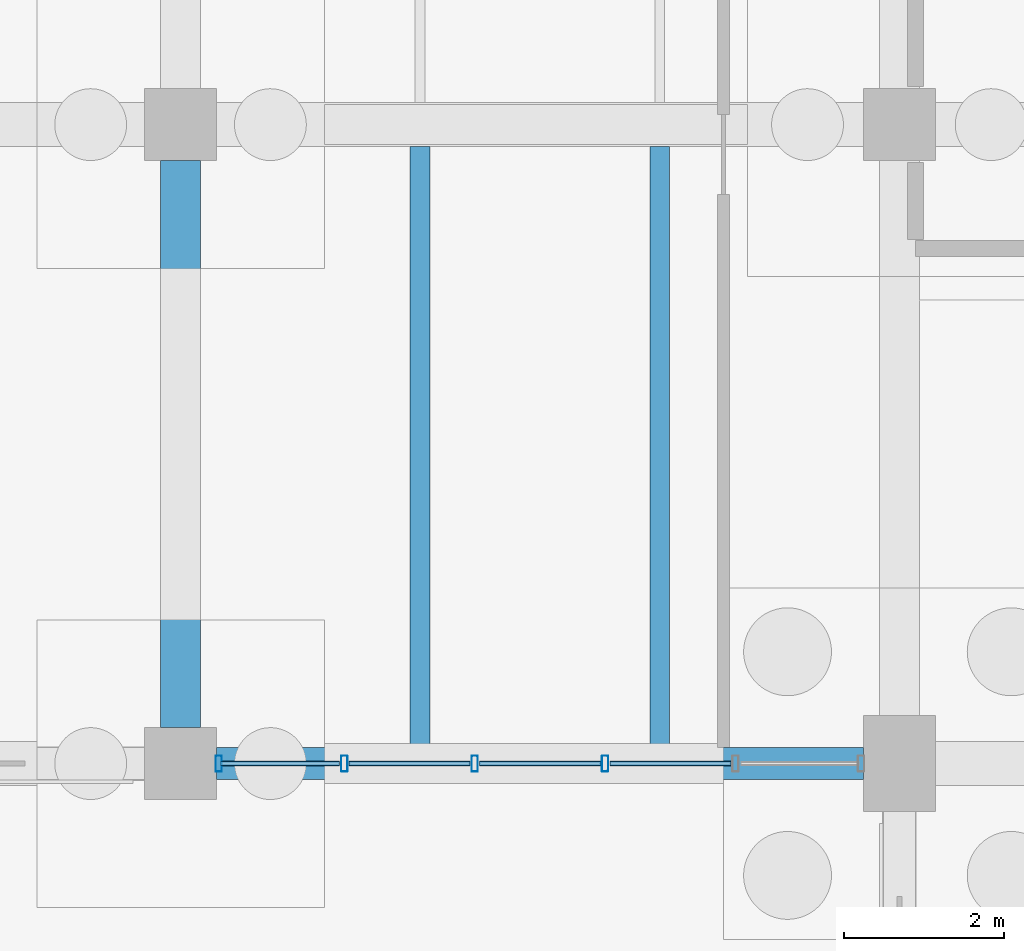
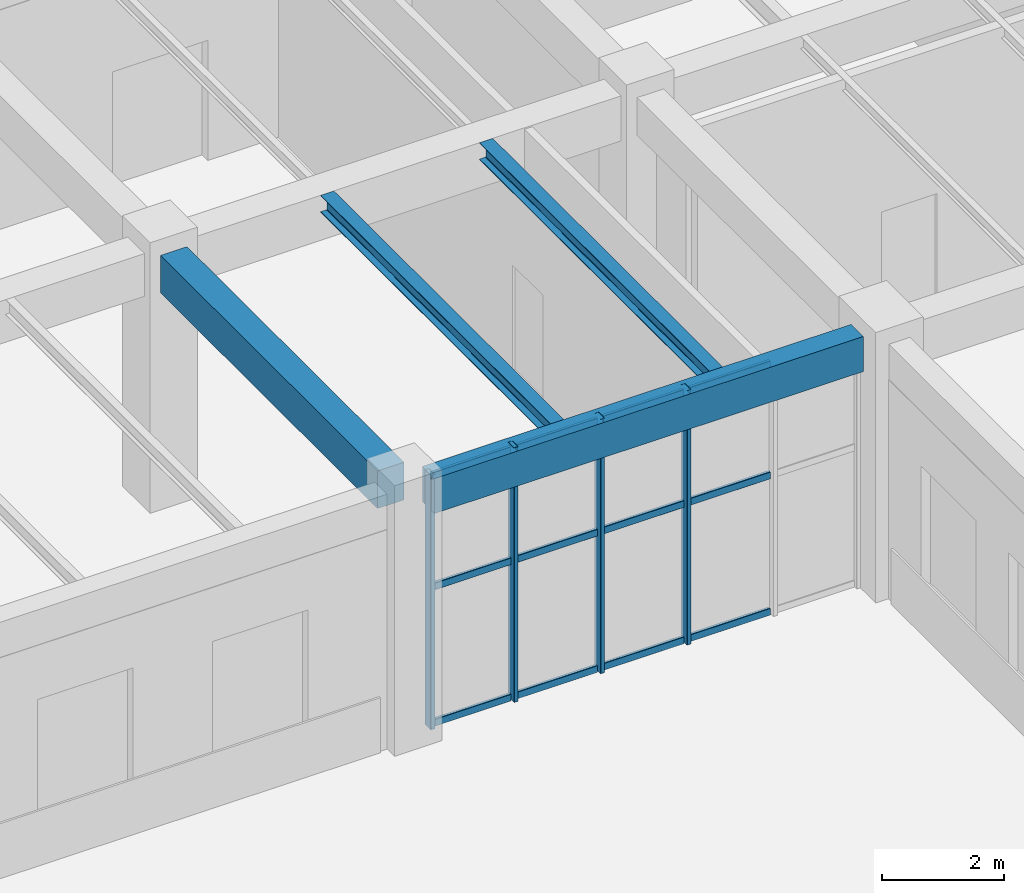
# One storey, part 71 of 121: 16 members, 4 beams, 1 element without a shape of its own.
"""IFC4 building model written with IfcOpenShell, lengths in metres."""

from ifc_helpers import new_model, si_unit, derived_unit, direction, frame, origin, origin_2d, place, context, subcontext, project, spatial, rectangle, hollow_rectangle, i_section, extrude, material, material_profile, profile_set, type_object, element, aggregate, save


model = new_model("IFC4")

# Units and contexts
model_context = context("Model", 3, precision=1e-05, world=origin(), true_north=direction((0.0, 1.0)))
body_context = subcontext(model_context, "Body", "Model", "MODEL_VIEW")
ifc_project = project(units=[si_unit("LENGTHUNIT", "METRE"), si_unit("AREAUNIT", "SQUARE_METRE"), si_unit("VOLUMEUNIT", "CUBIC_METRE"), si_unit("PLANEANGLEUNIT", "RADIAN"), si_unit("MASSUNIT", "GRAM", prefix="KILO"), derived_unit("THERMALTRANSMITTANCEUNIT", [(si_unit("MASSUNIT", "GRAM", prefix="KILO"), 1), (si_unit("TIMEUNIT", "SECOND"), -3), (si_unit("THERMODYNAMICTEMPERATUREUNIT", "KELVIN"), -1)])], contexts=[model_context])

# Site, building, storey
site_placement = place(None, origin())
site = spatial("IfcSite", under=ifc_project, at=site_placement, CompositionType="ELEMENT")
building_placement = place(site_placement, origin())
building = spatial("IfcBuilding", under=site, at=building_placement, Name="Zhenchuan Archway Interchange", CompositionType="ELEMENT")
storey_placement = place(building_placement, origin())
storey = spatial("IfcBuildingStorey", under=building, at=storey_placement, Name="L00", CompositionType="ELEMENT", Elevation=0.0)

# Beam
ifc_material_1 = material(Name="Concrete C40", Category="concrete")
ifc_material_profile_1 = material_profile(ifc_material_1, rectangle(XDim=0.5, YDim=0.75, at=origin_2d()), Name="RC 500x750")
ifc_profile_set_1 = profile_set([ifc_material_profile_1], Name="Concrete C40")
beam_type_1 = type_object("IfcBeamType", Name="BM_RC_500x750", PredefinedType="BEAM", material=ifc_profile_set_1)
beam_1_placement = place(storey_placement, frame((135.0, 88.449951171875, 4.705078125), z_axis=(0.0, 1.0, 0.0), x_axis=(-1.0, 0.0, 0.0)))
element("IfcBeam", 1, at=beam_1_placement, inside=storey, type_object=beam_type_1, Name="Beam 16:M-N (L00)", PredefinedType="BEAM", context=body_context, shape_type="SweptSolid", body=[
    extrude(rectangle(XDim=0.5, YDim=0.75, at=origin_2d()), origin(), (0.0, 0.0, 1.0), 7.10009765625),
])

# Curtain wall, members
ifc_material_2 = material(Name="Anodised Aluminium", Category="aluminium")
curtain_wall_type = type_object("IfcCurtainWallType", Name="CW_UNIT_4", PredefinedType="NOTDEFINED", material=ifc_material_2)
curtain_wall_placement = place(storey_placement, origin())
curtain_wall = element("IfcCurtainWall", 2, at=curtain_wall_placement, inside=storey, type_object=curtain_wall_type, Name="Unitised curtain wall CW:L00:023", PredefinedType="NOTDEFINED")
ifc_material_profile_2 = material_profile(ifc_material_2, hollow_rectangle(XDim=0.080078125, YDim=0.199951171875, WallThickness=0.00439453125, InnerFilletRadius=0.00439453125, OuterFilletRadius=0.009033203125, at=origin_2d()), Name="ALU 200x80x4.5")
ifc_profile_set_2 = profile_set([ifc_material_profile_2], Name="Anodised Aluminium")
member_type_1 = type_object("IfcMemberType", Name="CW_MUL_200", PredefinedType="MULLION", material=ifc_profile_set_2)
member_1_placement = place(storey_placement, frame((140.31640625, 88.0, 0.0), z_axis=(0.0, 0.0, 1.0), x_axis=(1.0, 0.0, 0.0)))
member_1 = element("IfcMember", 3, at=member_1_placement, type_object=member_type_1, Name="CW:L00:023 mullion 2", PredefinedType="MULLION", context=body_context, shape_type="SweptSolid", body=[
    extrude(hollow_rectangle(XDim=0.080078125, YDim=0.199951171875, WallThickness=0.00439453125, InnerFilletRadius=0.00439453125, OuterFilletRadius=0.009033203125, at=origin_2d()), origin(), (0.0, 0.0, 1.0), 5.080078125),
])
member_2_placement = place(storey_placement, frame((138.68359375, 88.0, 0.0), z_axis=(0.0, 0.0, 1.0), x_axis=(1.0, 0.0, 0.0)))
member_2 = element("IfcMember", 4, at=member_2_placement, type_object=member_type_1, Name="CW:L00:023 mullion 3", PredefinedType="MULLION", context=body_context, shape_type="SweptSolid", body=[
    extrude(hollow_rectangle(XDim=0.080078125, YDim=0.199951171875, WallThickness=0.00439453125, InnerFilletRadius=0.00439453125, OuterFilletRadius=0.009033203125, at=origin_2d()), origin(), (0.0, 0.0, 1.0), 5.080078125),
])
member_3_placement = place(storey_placement, frame((137.05078125, 88.0, 0.0), z_axis=(0.0, 0.0, 1.0), x_axis=(1.0, 0.0, 0.0)))
member_3 = element("IfcMember", 5, at=member_3_placement, type_object=member_type_1, Name="CW:L00:023 mullion 4", PredefinedType="MULLION", context=body_context, shape_type="SweptSolid", body=[
    extrude(hollow_rectangle(XDim=0.080078125, YDim=0.199951171875, WallThickness=0.00439453125, InnerFilletRadius=0.00439453125, OuterFilletRadius=0.009033203125, at=origin_2d()), origin(), (0.0, 0.0, 1.0), 5.080078125),
])
member_4_placement = place(storey_placement, frame((135.47802734375, 88.0, 0.0), z_axis=(0.0, 0.0, 1.0), x_axis=(1.0, 0.0, 0.0)))
member_4 = element("IfcMember", 6, at=member_4_placement, type_object=member_type_1, Name="CW:L00:023 mullion 5", PredefinedType="MULLION", context=body_context, shape_type="SweptSolid", body=[
    extrude(hollow_rectangle(XDim=0.080078125, YDim=0.199951171875, WallThickness=0.00439453125, InnerFilletRadius=0.00439453125, OuterFilletRadius=0.009033203125, at=origin_2d()), origin(), (0.0, 0.0, 1.0), 5.080078125),
])
ifc_material_profile_3 = material_profile(ifc_material_2, hollow_rectangle(XDim=0.06005859375, YDim=0.139892578125, WallThickness=0.00341796875, InnerFilletRadius=0.00341796875, OuterFilletRadius=0.007080078125, at=origin_2d()), Name="ALU 140x60x3.5")
ifc_profile_set_3 = profile_set([ifc_material_profile_3], Name="Anodised Aluminium")
member_type_2 = type_object("IfcMemberType", Name="CW_TRN_140", PredefinedType="USERDEFINED", material=ifc_profile_set_3)
member_5_placement = place(storey_placement, frame((141.88916015625, 88.0, 0.06005859375), z_axis=(-1.0, 0.0, 0.0), x_axis=(0.0, -1.0, 0.0)))
member_5 = element("IfcMember", 7, at=member_5_placement, type_object=member_type_2, Name="CW:L00:023 transom 1-1", ObjectType="TRANSOM", PredefinedType="USERDEFINED", context=body_context, shape_type="SweptSolid", body=[
    extrude(hollow_rectangle(XDim=0.06005859375, YDim=0.139892578125, WallThickness=0.00341796875, InnerFilletRadius=0.00341796875, OuterFilletRadius=0.007080078125, at=origin_2d()), origin(), (0.0, 0.0, 1.0), 1.5126953125),
])
member_6_placement = place(storey_placement, frame((141.88916015625, 88.0, 2.782958984375), z_axis=(-1.0, 0.0, 0.0), x_axis=(0.0, -1.0, 0.0)))
member_6 = element("IfcMember", 8, at=member_6_placement, type_object=member_type_2, Name="CW:L00:023 transom 1-2", ObjectType="TRANSOM", PredefinedType="USERDEFINED", context=body_context, shape_type="SweptSolid", body=[
    extrude(hollow_rectangle(XDim=0.06005859375, YDim=0.139892578125, WallThickness=0.00341796875, InnerFilletRadius=0.00341796875, OuterFilletRadius=0.007080078125, at=origin_2d()), origin(), (0.0, 0.0, 1.0), 1.5126953125),
])
member_7_placement = place(storey_placement, frame((141.88916015625, 88.0, 5.0), z_axis=(-1.0, 0.0, 0.0), x_axis=(0.0, -1.0, 0.0)))
member_7 = element("IfcMember", 9, at=member_7_placement, type_object=member_type_2, Name="CW:L00:023 transom 1-3", ObjectType="TRANSOM", PredefinedType="USERDEFINED", context=body_context, shape_type="SweptSolid", body=[
    extrude(hollow_rectangle(XDim=0.06005859375, YDim=0.139892578125, WallThickness=0.00341796875, InnerFilletRadius=0.00341796875, OuterFilletRadius=0.007080078125, at=origin_2d()), origin(), (0.0, 0.0, 1.0), 1.5126953125),
])
member_8_placement = place(storey_placement, frame((140.25634765625, 88.0, 0.06005859375), z_axis=(-1.0, 0.0, 0.0), x_axis=(0.0, -1.0, 0.0)))
member_8 = element("IfcMember", 10, at=member_8_placement, type_object=member_type_2, Name="CW:L00:023 transom 2-1", ObjectType="TRANSOM", PredefinedType="USERDEFINED", context=body_context, shape_type="SweptSolid", body=[
    extrude(hollow_rectangle(XDim=0.06005859375, YDim=0.139892578125, WallThickness=0.00341796875, InnerFilletRadius=0.00341796875, OuterFilletRadius=0.007080078125, at=origin_2d()), origin(), (0.0, 0.0, 1.0), 1.5126953125),
])
member_9_placement = place(storey_placement, frame((140.25634765625, 88.0, 2.782958984375), z_axis=(-1.0, 0.0, 0.0), x_axis=(0.0, -1.0, 0.0)))
member_9 = element("IfcMember", 11, at=member_9_placement, type_object=member_type_2, Name="CW:L00:023 transom 2-2", ObjectType="TRANSOM", PredefinedType="USERDEFINED", context=body_context, shape_type="SweptSolid", body=[
    extrude(hollow_rectangle(XDim=0.06005859375, YDim=0.139892578125, WallThickness=0.00341796875, InnerFilletRadius=0.00341796875, OuterFilletRadius=0.007080078125, at=origin_2d()), origin(), (0.0, 0.0, 1.0), 1.5126953125),
])
member_10_placement = place(storey_placement, frame((140.25634765625, 88.0, 5.0), z_axis=(-1.0, 0.0, 0.0), x_axis=(0.0, -1.0, 0.0)))
member_10 = element("IfcMember", 12, at=member_10_placement, type_object=member_type_2, Name="CW:L00:023 transom 2-3", ObjectType="TRANSOM", PredefinedType="USERDEFINED", context=body_context, shape_type="SweptSolid", body=[
    extrude(hollow_rectangle(XDim=0.06005859375, YDim=0.139892578125, WallThickness=0.00341796875, InnerFilletRadius=0.00341796875, OuterFilletRadius=0.007080078125, at=origin_2d()), origin(), (0.0, 0.0, 1.0), 1.5126953125),
])
member_11_placement = place(storey_placement, frame((138.62353515625, 88.0, 0.06005859375), z_axis=(-1.0, 0.0, 0.0), x_axis=(0.0, -1.0, 0.0)))
member_11 = element("IfcMember", 13, at=member_11_placement, type_object=member_type_2, Name="CW:L00:023 transom 3-1", ObjectType="TRANSOM", PredefinedType="USERDEFINED", context=body_context, shape_type="SweptSolid", body=[
    extrude(hollow_rectangle(XDim=0.06005859375, YDim=0.139892578125, WallThickness=0.00341796875, InnerFilletRadius=0.00341796875, OuterFilletRadius=0.007080078125, at=origin_2d()), origin(), (0.0, 0.0, 1.0), 1.5126953125),
])
member_12_placement = place(storey_placement, frame((138.62353515625, 88.0, 2.782958984375), z_axis=(-1.0, 0.0, 0.0), x_axis=(0.0, -1.0, 0.0)))
member_12 = element("IfcMember", 14, at=member_12_placement, type_object=member_type_2, Name="CW:L00:023 transom 3-2", ObjectType="TRANSOM", PredefinedType="USERDEFINED", context=body_context, shape_type="SweptSolid", body=[
    extrude(hollow_rectangle(XDim=0.06005859375, YDim=0.139892578125, WallThickness=0.00341796875, InnerFilletRadius=0.00341796875, OuterFilletRadius=0.007080078125, at=origin_2d()), origin(), (0.0, 0.0, 1.0), 1.5126953125),
])
member_13_placement = place(storey_placement, frame((138.62353515625, 88.0, 5.0), z_axis=(-1.0, 0.0, 0.0), x_axis=(0.0, -1.0, 0.0)))
member_13 = element("IfcMember", 15, at=member_13_placement, type_object=member_type_2, Name="CW:L00:023 transom 3-3", ObjectType="TRANSOM", PredefinedType="USERDEFINED", context=body_context, shape_type="SweptSolid", body=[
    extrude(hollow_rectangle(XDim=0.06005859375, YDim=0.139892578125, WallThickness=0.00341796875, InnerFilletRadius=0.00341796875, OuterFilletRadius=0.007080078125, at=origin_2d()), origin(), (0.0, 0.0, 1.0), 1.5126953125),
])
member_14_placement = place(storey_placement, frame((136.99072265625, 88.0, 0.06005859375), z_axis=(-1.0, 0.0, 0.0), x_axis=(0.0, -1.0, 0.0)))
member_14 = element("IfcMember", 16, at=member_14_placement, type_object=member_type_2, Name="CW:L00:023 transom 4-1", ObjectType="TRANSOM", PredefinedType="USERDEFINED", context=body_context, shape_type="SweptSolid", body=[
    extrude(hollow_rectangle(XDim=0.06005859375, YDim=0.139892578125, WallThickness=0.00341796875, InnerFilletRadius=0.00341796875, OuterFilletRadius=0.007080078125, at=origin_2d()), origin(), (0.0, 0.0, 1.0), 1.49267578125),
])
member_15_placement = place(storey_placement, frame((136.99072265625, 88.0, 2.782958984375), z_axis=(-1.0, 0.0, 0.0), x_axis=(0.0, -1.0, 0.0)))
member_15 = element("IfcMember", 17, at=member_15_placement, type_object=member_type_2, Name="CW:L00:023 transom 4-2", ObjectType="TRANSOM", PredefinedType="USERDEFINED", context=body_context, shape_type="SweptSolid", body=[
    extrude(hollow_rectangle(XDim=0.06005859375, YDim=0.139892578125, WallThickness=0.00341796875, InnerFilletRadius=0.00341796875, OuterFilletRadius=0.007080078125, at=origin_2d()), origin(), (0.0, 0.0, 1.0), 1.49267578125),
])
member_16_placement = place(storey_placement, frame((136.99072265625, 88.0, 5.0), z_axis=(-1.0, 0.0, 0.0), x_axis=(0.0, -1.0, 0.0)))
member_16 = element("IfcMember", 18, at=member_16_placement, type_object=member_type_2, Name="CW:L00:023 transom 4-3", ObjectType="TRANSOM", PredefinedType="USERDEFINED", context=body_context, shape_type="SweptSolid", body=[
    extrude(hollow_rectangle(XDim=0.06005859375, YDim=0.139892578125, WallThickness=0.00341796875, InnerFilletRadius=0.00341796875, OuterFilletRadius=0.007080078125, at=origin_2d()), origin(), (0.0, 0.0, 1.0), 1.49267578125),
])
aggregate(curtain_wall, [member_1, member_2, member_3, member_4, member_5, member_6, member_7, member_8, member_9, member_10, member_11, member_12, member_13, member_14, member_15, member_16])

# Beams
ifc_material_3 = material(Name="Steel Q355", Category="steel")
ifc_material_profile_4 = material_profile(ifc_material_3, i_section(OverallWidth=0.25, OverallDepth=0.340087890625, WebThickness=0.009033203125, FlangeThickness=0.013916015625, FilletRadius=0.01806640625, at=origin_2d()), Name="HM 340x250")
ifc_profile_set_4 = profile_set([ifc_material_profile_4], Name="Steel Q355")
beam_type_2 = type_object("IfcBeamType", Name="JST_STL_HM340", PredefinedType="JOIST", material=ifc_profile_set_4)
for number, where, z_axis, x_axis, name in (
    (19, (138.0, 88.199951171875, 4.909912109375), (0.0, 1.0, 0.0), (-1.0, 0.0, 0.0), "Secondary joist 16-17/M-N #1 (L00)"),
    (20, (141.0, 88.199951171875, 4.909912109375), (0.0, 1.0, 0.0), (-1.0, 0.0, 0.0), "Secondary joist 16-17/M-N #2 (L00)"),
):
    element("IfcBeam", number, at=place(storey_placement, frame(where, z_axis=z_axis, x_axis=x_axis)), inside=storey, type_object=beam_type_2, Name=name, PredefinedType="JOIST", context=body_context, shape_type="SweptSolid", body=[
        extrude(i_section(OverallWidth=0.25, OverallDepth=0.340087890625, WebThickness=0.009033203125, FlangeThickness=0.013916015625, FilletRadius=0.01806640625, at=origin_2d()), origin(), (0.0, 0.0, 1.0), 7.525146484375),
    ])
ifc_material_profile_5 = material_profile(ifc_material_1, rectangle(XDim=0.39990234375, YDim=0.699951171875, at=origin_2d()), Name="RC 400x700")
ifc_profile_set_5 = profile_set([ifc_material_profile_5], Name="Concrete C40")
beam_type_3 = type_object("IfcBeamType", Name="SP_RC_400x700", PredefinedType="SPANDREL", material=ifc_profile_set_5)
beam_2_placement = place(storey_placement, frame((135.449951171875, 88.0, 4.72998046875), z_axis=(1.0, 0.0, 0.0), x_axis=(0.0, 1.0, 0.0)))
element("IfcBeam", 21, at=beam_2_placement, inside=storey, type_object=beam_type_3, Name="Beam M:16-17 (L00)", PredefinedType="SPANDREL", context=body_context, shape_type="SweptSolid", body=[
    extrude(rectangle(XDim=0.39990234375, YDim=0.699951171875, at=origin_2d()), origin(), (0.0, 0.0, 1.0), 8.10009765625),
])

save(model, "model.ifc")
